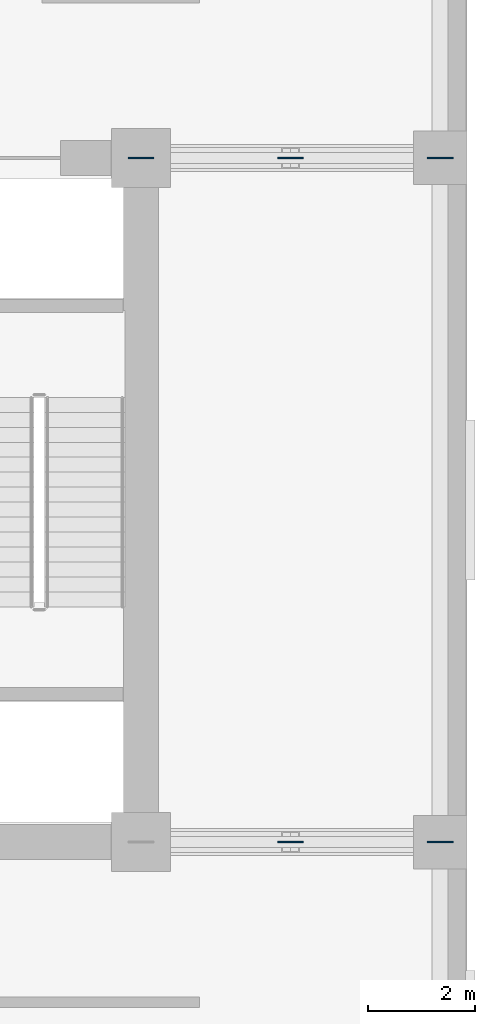
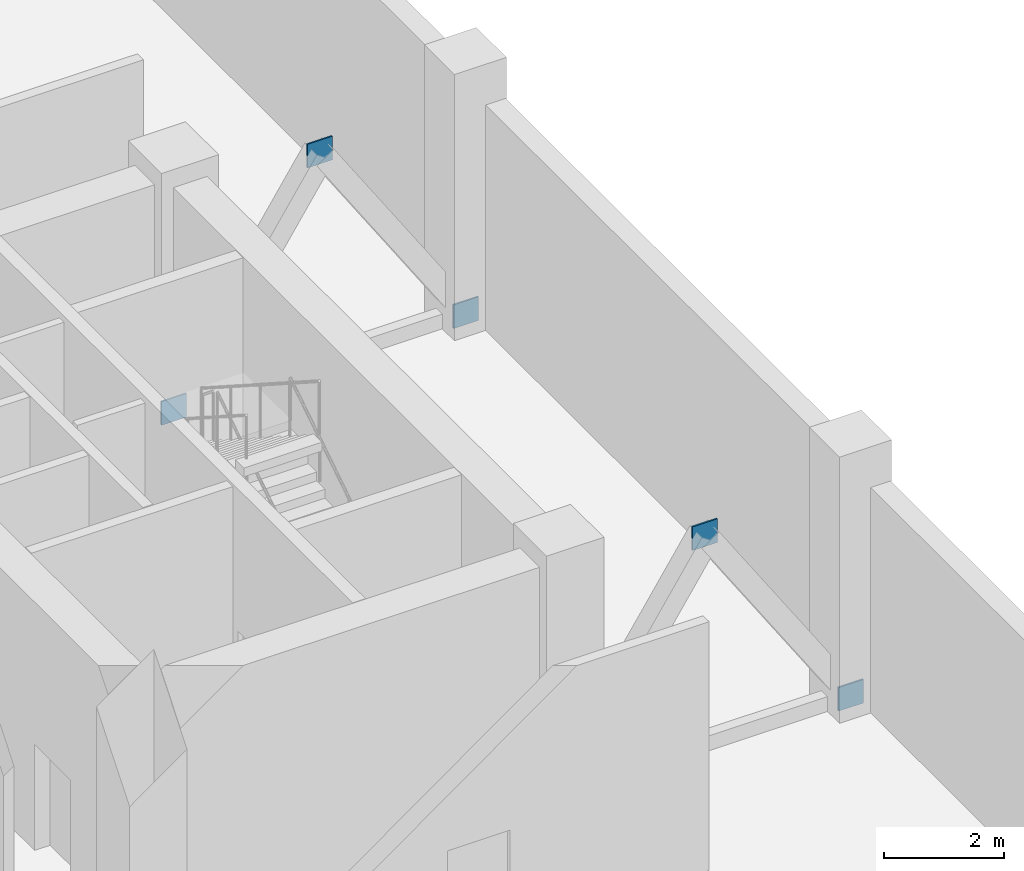
# One storey, part 4 of 9: 5 plates.
"""IFC4 building model written with IfcOpenShell, lengths in metres."""

from ifc_helpers import new_model, si_unit, direction, frame, origin, origin_2d, place, context, subcontext, project, spatial, rectangle, extrude, material, layer, layer_set, type_object, element, save


model = new_model("IFC4")

# Units and contexts
model_context = context("Model", 3, precision=1e-05, world=origin(), true_north=direction((0.0, 1.0)))
body_context = subcontext(model_context, "Body", "Model", "MODEL_VIEW")
ifc_project = project(units=[si_unit("LENGTHUNIT", "METRE"), si_unit("AREAUNIT", "SQUARE_METRE"), si_unit("VOLUMEUNIT", "CUBIC_METRE"), si_unit("PLANEANGLEUNIT", "RADIAN"), si_unit("MASSUNIT", "GRAM", prefix="KILO")], contexts=[model_context])

# Site, building, storey
site_placement = place(None, origin())
site = spatial("IfcSite", under=ifc_project, at=site_placement, CompositionType="ELEMENT")
building_placement = place(site_placement, origin())
building = spatial("IfcBuilding", under=site, at=building_placement, Name="Kranthara Brick Stack", CompositionType="ELEMENT")
storey_placement = place(building_placement, frame((0.0, 0.0, 110.10009765625)))
storey = spatial("IfcBuildingStorey", under=building, at=storey_placement, Name="L27", CompositionType="ELEMENT", Elevation=110.10009765625)

# Plates
ifc_material = material(Name="Steel S355", Category="steel")
ifc_layer = layer(ifc_material, 0.030029296875)
ifc_layer_set = layer_set([ifc_layer], Name="Steel S355")
plate_type = type_object("IfcPlateType", Name="PLT-GUSSET-30", PredefinedType="USERDEFINED", material=ifc_layer_set)
for number, where, z_axis, x_axis, name in (
    (1, (46.0, 20.800048828125, 4.099853515625), (0.0, 0.0, 1.0), (1.0, 0.0, 0.0), "L27 Brace and Strut End Connection Gusset Plate 153"),
    (2, (43.199951171875, 33.60009765625, -0.14013671875), (0.0, 0.0, 1.0), (1.0, 0.0, 0.0), "L27 Brace and Strut End Connection Gusset Plate 154"),
    (3, (46.0, 33.60009765625, 4.099853515625), (0.0, 0.0, 1.0), (1.0, 0.0, 0.0), "L27 Brace and Strut End Connection Gusset Plate 155"),
    (4, (48.800048828125, 20.800048828125, -0.14013671875), (0.0, 0.0, 1.0), (1.0, 0.0, 0.0), "L27 Brace and Strut End Connection Gusset Plate 158"),
    (5, (48.800048828125, 33.60009765625, -0.14013671875), (0.0, 0.0, 1.0), (1.0, 0.0, 0.0), "L27 Brace and Strut End Connection Gusset Plate 159"),
):
    element("IfcPlate", number, at=place(storey_placement, frame(where, z_axis=z_axis, x_axis=x_axis)), inside=storey, type_object=plate_type, Name=name, ObjectType="GUSSET PLATE", PredefinedType="USERDEFINED", context=body_context, shape_type="SweptSolid", body=[
        extrude(rectangle(XDim=0.47998046875, YDim=0.030029296875, at=origin_2d()), origin(), (0.0, 0.0, 1.0), 0.47998046875),
    ])

save(model, "model.ifc")
